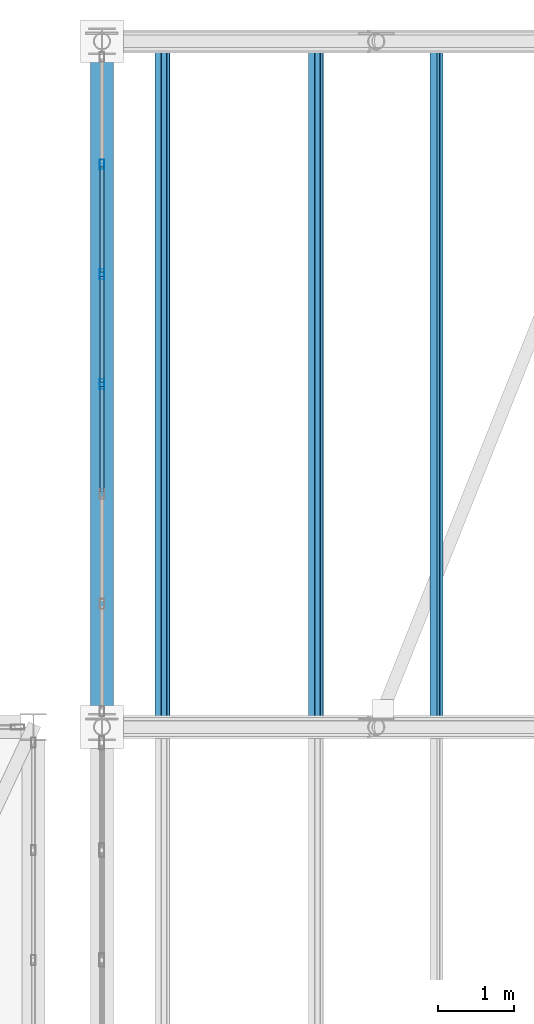
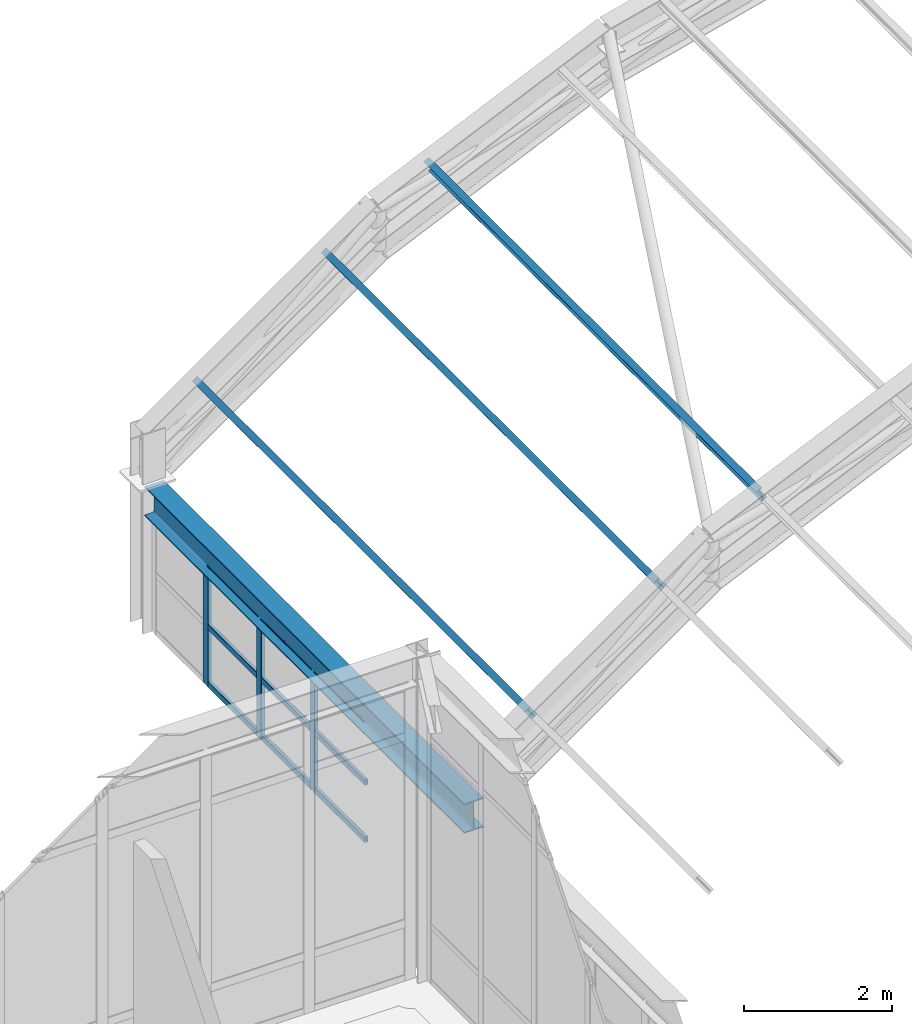
# One storey, part 73 of 121: 15 members, 1 beam, 1 element without a shape of its own.
"""IFC4 building model written with IfcOpenShell, lengths in metres."""

from ifc_helpers import new_model, si_unit, direction, frame, origin, origin_2d, place, context, subcontext, project, spatial, hollow_rectangle, i_section, extrude, material, material_profile, profile_set, type_object, element, aggregate, save


model = new_model("IFC4")

# Units and contexts
model_context = context("Model", 3, precision=1e-05, world=origin(), true_north=direction((0.0, 1.0)))
body_context = subcontext(model_context, "Body", "Model", "MODEL_VIEW")
ifc_project = project(units=[si_unit("LENGTHUNIT", "METRE"), si_unit("AREAUNIT", "SQUARE_METRE"), si_unit("VOLUMEUNIT", "CUBIC_METRE"), si_unit("PLANEANGLEUNIT", "RADIAN"), si_unit("MASSUNIT", "GRAM", prefix="KILO")], contexts=[model_context])

# Site, building, storey
site_placement = place(None, origin())
site = spatial("IfcSite", under=ifc_project, at=site_placement, CompositionType="ELEMENT")
building_placement = place(site_placement, origin())
building = spatial("IfcBuilding", under=site, at=building_placement, Name="Canglan Escarpment Cableway Terminal", CompositionType="ELEMENT")
storey_placement = place(building_placement, frame((0.0, 0.0, 24.60009765625)))
storey = spatial("IfcBuildingStorey", under=building, at=storey_placement, Name="L05", CompositionType="ELEMENT", Elevation=24.60009765625)

# Beam
ifc_material_1 = material(Name="Steel Q355B", Category="steel")
ifc_material_profile_1 = material_profile(ifc_material_1, i_section(OverallWidth=0.300048828125, OverallDepth=0.488037109375, WebThickness=0.010986328125, FlangeThickness=0.01806640625, FilletRadius=0.02587890625, at=origin_2d()), Name="HM 488x300x11x18")
ifc_profile_set_1 = profile_set([ifc_material_profile_1], Name="Steel Q355B")
beam_type = type_object("IfcBeamType", Name="BM-HM488", PredefinedType="BEAM", material=ifc_profile_set_1)
beam_placement = place(storey_placement, frame((137.60009765625, 115.175048828125, 2.1884765625), z_axis=(0.0, 1.0, 0.0), x_axis=(-1.0, 0.0, 0.0)))
element("IfcBeam", 1, at=beam_placement, inside=storey, type_object=beam_type, Name="Vault springing ring girder B-09", PredefinedType="BEAM", context=body_context, shape_type="SweptSolid", body=[
    extrude(i_section(OverallWidth=0.300048828125, OverallDepth=0.488037109375, WebThickness=0.010986328125, FlangeThickness=0.01806640625, FilletRadius=0.02587890625, at=origin_2d()), origin(), (0.0, 0.0, 1.0), 8.64990234375),
])

# Curtain wall, members
ifc_material_2 = material(Name="Anodized bronze aluminium and Low-E double glazing", Category="aluminium")
curtain_wall_type = type_object("IfcCurtainWallType", Name="CW-BAY-8650x1950", PredefinedType="NOTDEFINED", material=ifc_material_2)
curtain_wall_placement = place(storey_placement, origin())
curtain_wall = element("IfcCurtainWall", 2, at=curtain_wall_placement, inside=storey, type_object=curtain_wall_type, Name="Classical bay-between-piers glazed curtain wall CW-66", PredefinedType="NOTDEFINED")
ifc_material_3 = material(Name="Thermally broken anodized aluminium 6063-T6", Category="aluminium")
ifc_material_profile_2 = material_profile(ifc_material_3, hollow_rectangle(XDim=0.06005859375, YDim=0.1298828125, WallThickness=0.0029296875, InnerFilletRadius=0.0029296875, OuterFilletRadius=0.006103515625, at=origin_2d()), Name="ALU-MULL 60x130x3")
ifc_profile_set_2 = profile_set([ifc_material_profile_2], Name="Thermally broken anodized aluminium 6063-T6")
member_type_1 = type_object("IfcMemberType", Name="CWM-01", PredefinedType="MULLION", material=ifc_profile_set_2)
member_1_placement = place(storey_placement, frame((137.60009765625, 122.38330078125, 0.0), z_axis=(0.0, 0.0, 1.0), x_axis=(1.0, 0.0, 0.0)))
member_1 = element("IfcMember", 3, at=member_1_placement, type_object=member_type_1, Name="CW-66 mullion 2", PredefinedType="MULLION", context=body_context, shape_type="SweptSolid", body=[
    extrude(hollow_rectangle(XDim=0.06005859375, YDim=0.1298828125, WallThickness=0.0029296875, InnerFilletRadius=0.0029296875, OuterFilletRadius=0.006103515625, at=origin_2d()), origin(), (0.0, 0.0, 1.0), 1.949951171875),
])
member_2_placement = place(storey_placement, frame((137.60009765625, 120.941650390625, 0.0), z_axis=(0.0, 0.0, 1.0), x_axis=(1.0, 0.0, 0.0)))
member_2 = element("IfcMember", 4, at=member_2_placement, type_object=member_type_1, Name="CW-66 mullion 3", PredefinedType="MULLION", context=body_context, shape_type="SweptSolid", body=[
    extrude(hollow_rectangle(XDim=0.06005859375, YDim=0.1298828125, WallThickness=0.0029296875, InnerFilletRadius=0.0029296875, OuterFilletRadius=0.006103515625, at=origin_2d()), origin(), (0.0, 0.0, 1.0), 1.949951171875),
])
member_3_placement = place(storey_placement, frame((137.60009765625, 119.5, 0.0), z_axis=(0.0, 0.0, 1.0), x_axis=(1.0, 0.0, 0.0)))
member_3 = element("IfcMember", 5, at=member_3_placement, type_object=member_type_1, Name="CW-66 mullion 4", PredefinedType="MULLION", context=body_context, shape_type="SweptSolid", body=[
    extrude(hollow_rectangle(XDim=0.06005859375, YDim=0.1298828125, WallThickness=0.0029296875, InnerFilletRadius=0.0029296875, OuterFilletRadius=0.006103515625, at=origin_2d()), origin(), (0.0, 0.0, 1.0), 1.949951171875),
])
ifc_material_profile_3 = material_profile(ifc_material_3, hollow_rectangle(XDim=0.054931640625, YDim=0.094970703125, WallThickness=0.0029296875, InnerFilletRadius=0.0029296875, OuterFilletRadius=0.006103515625, at=origin_2d()), Name="ALU-TRAN 55x95x3")
ifc_profile_set_3 = profile_set([ifc_material_profile_3], Name="Thermally broken anodized aluminium 6063-T6")
member_type_2 = type_object("IfcMemberType", Name="CWT-01", PredefinedType="USERDEFINED", material=ifc_profile_set_3)
member_4_placement = place(storey_placement, frame((137.60009765625, 122.353271484375, 0.02734375), z_axis=(0.0, -1.0, 0.0), x_axis=(1.0, 0.0, 0.0)))
member_4 = element("IfcMember", 6, at=member_4_placement, type_object=member_type_2, Name="CW-66 transom 2.1", ObjectType="TRANSOM", PredefinedType="USERDEFINED", context=body_context, shape_type="SweptSolid", body=[
    extrude(hollow_rectangle(XDim=0.054931640625, YDim=0.094970703125, WallThickness=0.0029296875, InnerFilletRadius=0.0029296875, OuterFilletRadius=0.006103515625, at=origin_2d()), origin(), (0.0, 0.0, 1.0), 1.381591796875),
])
member_5_placement = place(storey_placement, frame((137.60009765625, 122.353271484375, 0.974853515625), z_axis=(0.0, -1.0, 0.0), x_axis=(1.0, 0.0, 0.0)))
member_5 = element("IfcMember", 7, at=member_5_placement, type_object=member_type_2, Name="CW-66 transom 2.2", ObjectType="TRANSOM", PredefinedType="USERDEFINED", context=body_context, shape_type="SweptSolid", body=[
    extrude(hollow_rectangle(XDim=0.054931640625, YDim=0.094970703125, WallThickness=0.0029296875, InnerFilletRadius=0.0029296875, OuterFilletRadius=0.006103515625, at=origin_2d()), origin(), (0.0, 0.0, 1.0), 1.381591796875),
])
member_6_placement = place(storey_placement, frame((137.60009765625, 122.353271484375, 1.92236328125), z_axis=(0.0, -1.0, 0.0), x_axis=(1.0, 0.0, 0.0)))
member_6 = element("IfcMember", 8, at=member_6_placement, type_object=member_type_2, Name="CW-66 transom 2.3", ObjectType="TRANSOM", PredefinedType="USERDEFINED", context=body_context, shape_type="SweptSolid", body=[
    extrude(hollow_rectangle(XDim=0.054931640625, YDim=0.094970703125, WallThickness=0.0029296875, InnerFilletRadius=0.0029296875, OuterFilletRadius=0.006103515625, at=origin_2d()), origin(), (0.0, 0.0, 1.0), 1.381591796875),
])
member_7_placement = place(storey_placement, frame((137.60009765625, 120.91162109375, 0.02734375), z_axis=(0.0, -1.0, 0.0), x_axis=(1.0, 0.0, 0.0)))
member_7 = element("IfcMember", 9, at=member_7_placement, type_object=member_type_2, Name="CW-66 transom 3.1", ObjectType="TRANSOM", PredefinedType="USERDEFINED", context=body_context, shape_type="SweptSolid", body=[
    extrude(hollow_rectangle(XDim=0.054931640625, YDim=0.094970703125, WallThickness=0.0029296875, InnerFilletRadius=0.0029296875, OuterFilletRadius=0.006103515625, at=origin_2d()), origin(), (0.0, 0.0, 1.0), 1.381591796875),
])
member_8_placement = place(storey_placement, frame((137.60009765625, 120.91162109375, 0.974853515625), z_axis=(0.0, -1.0, 0.0), x_axis=(1.0, 0.0, 0.0)))
member_8 = element("IfcMember", 10, at=member_8_placement, type_object=member_type_2, Name="CW-66 transom 3.2", ObjectType="TRANSOM", PredefinedType="USERDEFINED", context=body_context, shape_type="SweptSolid", body=[
    extrude(hollow_rectangle(XDim=0.054931640625, YDim=0.094970703125, WallThickness=0.0029296875, InnerFilletRadius=0.0029296875, OuterFilletRadius=0.006103515625, at=origin_2d()), origin(), (0.0, 0.0, 1.0), 1.381591796875),
])
member_9_placement = place(storey_placement, frame((137.60009765625, 120.91162109375, 1.92236328125), z_axis=(0.0, -1.0, 0.0), x_axis=(1.0, 0.0, 0.0)))
member_9 = element("IfcMember", 11, at=member_9_placement, type_object=member_type_2, Name="CW-66 transom 3.3", ObjectType="TRANSOM", PredefinedType="USERDEFINED", context=body_context, shape_type="SweptSolid", body=[
    extrude(hollow_rectangle(XDim=0.054931640625, YDim=0.094970703125, WallThickness=0.0029296875, InnerFilletRadius=0.0029296875, OuterFilletRadius=0.006103515625, at=origin_2d()), origin(), (0.0, 0.0, 1.0), 1.381591796875),
])
member_10_placement = place(storey_placement, frame((137.60009765625, 119.469970703125, 0.02734375), z_axis=(0.0, -1.0, 0.0), x_axis=(1.0, 0.0, 0.0)))
member_10 = element("IfcMember", 12, at=member_10_placement, type_object=member_type_2, Name="CW-66 transom 4.1", ObjectType="TRANSOM", PredefinedType="USERDEFINED", context=body_context, shape_type="SweptSolid", body=[
    extrude(hollow_rectangle(XDim=0.054931640625, YDim=0.094970703125, WallThickness=0.0029296875, InnerFilletRadius=0.0029296875, OuterFilletRadius=0.006103515625, at=origin_2d()), origin(), (0.0, 0.0, 1.0), 1.381591796875),
])
member_11_placement = place(storey_placement, frame((137.60009765625, 119.469970703125, 0.974853515625), z_axis=(0.0, -1.0, 0.0), x_axis=(1.0, 0.0, 0.0)))
member_11 = element("IfcMember", 13, at=member_11_placement, type_object=member_type_2, Name="CW-66 transom 4.2", ObjectType="TRANSOM", PredefinedType="USERDEFINED", context=body_context, shape_type="SweptSolid", body=[
    extrude(hollow_rectangle(XDim=0.054931640625, YDim=0.094970703125, WallThickness=0.0029296875, InnerFilletRadius=0.0029296875, OuterFilletRadius=0.006103515625, at=origin_2d()), origin(), (0.0, 0.0, 1.0), 1.381591796875),
])
member_12_placement = place(storey_placement, frame((137.60009765625, 119.469970703125, 1.92236328125), z_axis=(0.0, -1.0, 0.0), x_axis=(1.0, 0.0, 0.0)))
member_12 = element("IfcMember", 14, at=member_12_placement, type_object=member_type_2, Name="CW-66 transom 4.3", ObjectType="TRANSOM", PredefinedType="USERDEFINED", context=body_context, shape_type="SweptSolid", body=[
    extrude(hollow_rectangle(XDim=0.054931640625, YDim=0.094970703125, WallThickness=0.0029296875, InnerFilletRadius=0.0029296875, OuterFilletRadius=0.006103515625, at=origin_2d()), origin(), (0.0, 0.0, 1.0), 1.381591796875),
])
aggregate(curtain_wall, [member_1, member_2, member_3, member_4, member_5, member_6, member_7, member_8, member_9, member_10, member_11, member_12])

# Members
ifc_material_profile_4 = material_profile(ifc_material_1, i_section(OverallWidth=0.10009765625, OverallDepth=0.199951171875, WebThickness=0.005615234375, FlangeThickness=0.008056640625, FilletRadius=0.010986328125, at=origin_2d()), Name="HN 200x100x5.5x8")
ifc_profile_set_4 = profile_set([ifc_material_profile_4], Name="Steel Q355B")
member_type_3 = type_object("IfcMemberType", Name="MB-VAULT-PUR-HN200", PredefinedType="PURLIN", material=ifc_profile_set_4)
for number, where, z_axis, x_axis, name in (
    (15, (138.39208984375, 115.0, 3.712890625), (0.0, 1.0, 0.0), (-0.817727996784, 0.0, -0.575604832568), "Barrel-vault roof purlin PR-01"),
    (16, (140.407958984375, 115.0, 5.1318359375), (0.0, 1.0, 0.0), (-0.817727996784, 0.0, -0.575604832568), "Barrel-vault roof purlin PR-01"),
    (17, (141.991943359375, 115.0, 6.059814453125), (0.0, 1.0, 0.0), (-0.911740537138, 0.0, -0.410766591799), "Barrel-vault roof purlin PR-01"),
):
    element("IfcMember", number, at=place(storey_placement, frame(where, z_axis=z_axis, x_axis=x_axis)), inside=storey, type_object=member_type_3, Name=name, PredefinedType="PURLIN", context=body_context, shape_type="SweptSolid", body=[
        extrude(i_section(OverallWidth=0.10009765625, OverallDepth=0.199951171875, WebThickness=0.005615234375, FlangeThickness=0.008056640625, FilletRadius=0.010986328125, at=origin_2d()), origin(), (0.0, 0.0, 1.0), 9.0),
    ])

save(model, "model.ifc")
